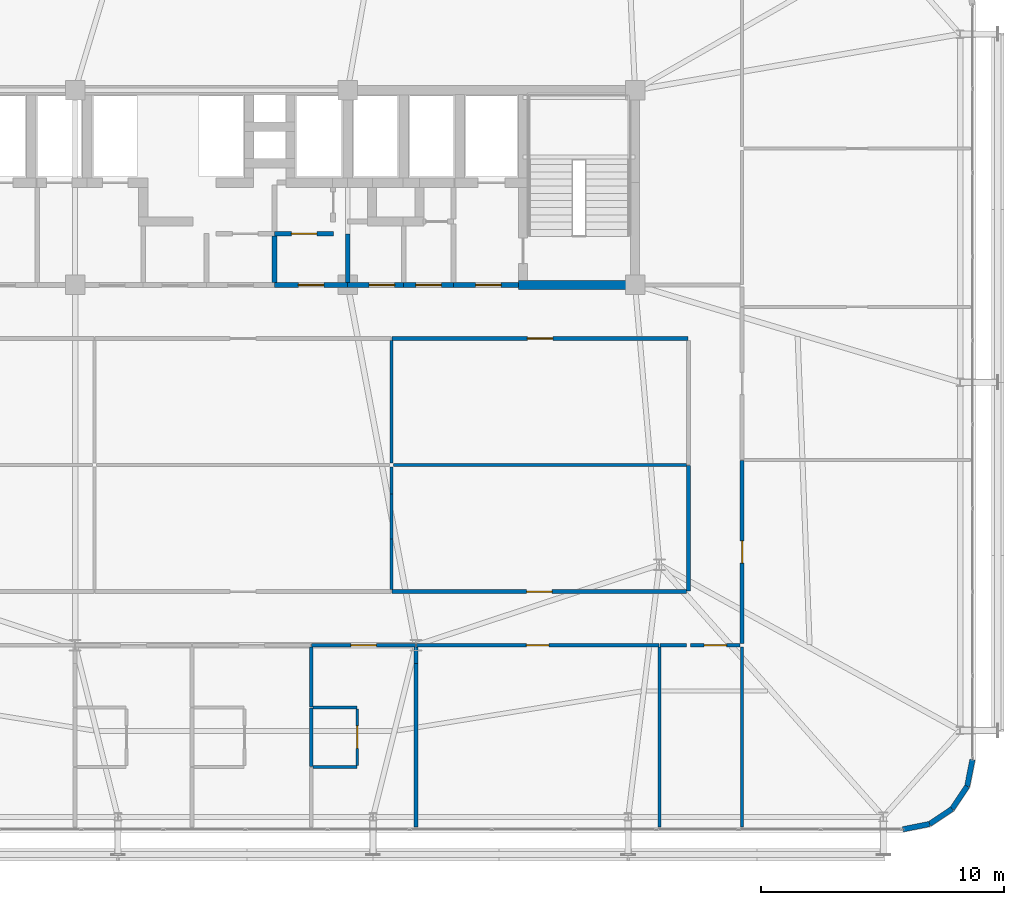
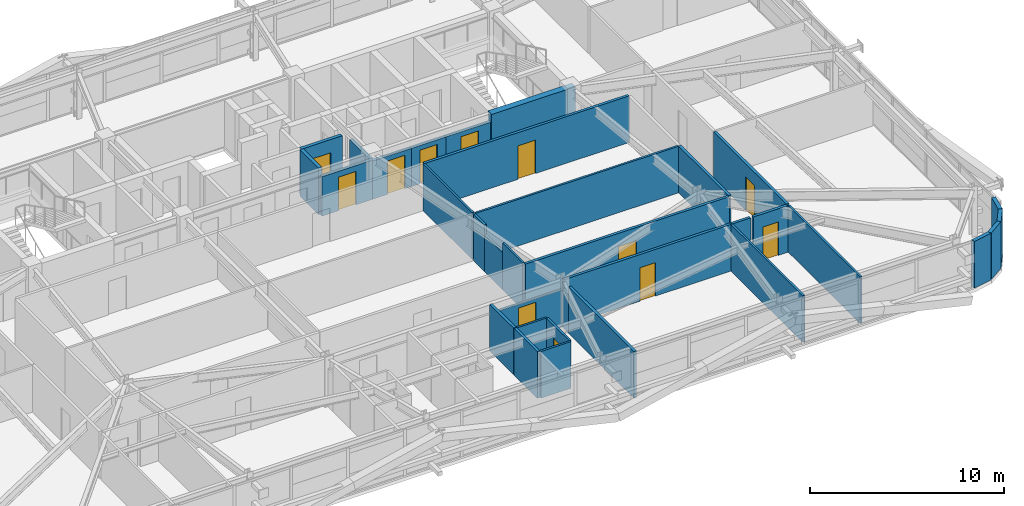
# One storey, part 54 of 59: 34 walls, 12 doors, 12 openings.
"""IFC4 building model written with IfcOpenShell, lengths in metres."""

from ifc_helpers import new_model, si_unit, direction, frame, frame_2d, origin, place, context, subcontext, project, spatial, rectangle, extrude, source, transform, mapped, material, layer, layer_set, type_object, element, fill, save


model = new_model("IFC4")

# Units and contexts
model_context = context("Model", 3, precision=1e-05, world=origin(), true_north=direction((0.0, 1.0)))
body_context = subcontext(model_context, "Body", "Model", "MODEL_VIEW")
ifc_project = project(units=[si_unit("LENGTHUNIT", "METRE"), si_unit("AREAUNIT", "SQUARE_METRE"), si_unit("VOLUMEUNIT", "CUBIC_METRE"), si_unit("PLANEANGLEUNIT", "RADIAN"), si_unit("MASSUNIT", "GRAM", prefix="KILO")], contexts=[model_context])

# Site, building, storey
site_placement = place(None, origin())
site = spatial("IfcSite", under=ifc_project, at=site_placement, CompositionType="ELEMENT")
building_placement = place(site_placement, origin())
building = spatial("IfcBuilding", under=site, at=building_placement, Name="Taldren Reach Tower", CompositionType="ELEMENT")
storey_placement = place(building_placement, frame((0.0, 0.0, 45.14990234375)))
storey = spatial("IfcBuildingStorey", under=building, at=storey_placement, Name="L13", CompositionType="ELEMENT", Elevation=45.14990234375)

# Walls
ifc_material_1 = material(Name="Pale Champagne Anodised Aluminium Cladding", Category="aluminium")
ifc_layer_1 = layer(ifc_material_1, 0.04, Name="Pale Champagne Anodised Aluminium Cladding", Category="aluminium")
ifc_material_2 = material(Name="Mineral Wool Acoustic Insulation", Category="insulation")
ifc_layer_2 = layer(ifc_material_2, 0.06, Name="Mineral Wool Acoustic Insulation", Category="insulation")
ifc_material_3 = material(Name="Steel Gr 350 (C350L0)", Category="steel")
ifc_layer_3 = layer(ifc_material_3, 0.12, Name="Steel Gr 350 (C350L0)", Category="steel")
ifc_layer_set_1 = layer_set([ifc_layer_1, ifc_layer_2, ifc_layer_3], Name="Pale Champagne Aluminium Cladding and Steel Gr 350 Stud Framing")
wall_type_1 = type_object("IfcWallType", Name="EW-CRN-220", PredefinedType="SOLIDWALL", material=ifc_layer_set_1)
shared_shape_1 = source(origin(), body_context, "Body", "SweptSolid", [
    extrude(rectangle(XDim=1.115966796875, YDim=0.219970703125, at=frame_2d((0.55810546875, 0.0))), origin(), (0.0, 0.0, 1.0), 2.93017578125),
])
for number, where, z_axis, x_axis, name in (
    (1, (62.0, 1.639892578125, 0.0), (0.0, 0.0, 1.0), (0.98077373103, 0.195148375659, 0.0), "Rounded-corner pale-metal facade wall L13-SE1"),
    (2, (63.094482421875, 1.857666015625, 0.0), (0.0, 0.0, 1.0), (0.83137650226, 0.555709556774, 0.0), "Rounded-corner pale-metal facade wall L13-SE2"),
    (3, (64.022216796875, 2.477783203125, 0.0), (0.0, 0.0, 1.0), (0.555709556774, 0.83137650226, 0.0), "Rounded-corner pale-metal facade wall L13-SE3"),
    (4, (64.642333984375, 3.405517578125, 0.0), (0.0, 0.0, 1.0), (0.195148375659, 0.98077373103, 0.0), "Rounded-corner pale-metal facade wall L13-SE4"),
):
    element("IfcWall", number, at=place(storey_placement, frame(where, z_axis=z_axis, x_axis=x_axis)), inside=storey, type_object=wall_type_1, Name=name, PredefinedType="SOLIDWALL", context=body_context, shape_type="MappedRepresentation", body=[
        mapped(shared_shape_1, transform((0.0, 0.0, 0.0), scale=1.0)),
    ])
ifc_material_4 = material(Name="Concrete S80 (80 MPa)", Category="concrete")
ifc_layer_4 = layer(ifc_material_4, 0.3798828125)
ifc_layer_set_2 = layer_set([ifc_layer_4], Name="Concrete S80 (80 MPa)")
wall_type_2 = type_object("IfcWallType", Name="IW-CORE-380", PredefinedType="SHEAR", material=ifc_layer_set_2)
shared_shape_2 = source(origin(), body_context, "Body", "SweptSolid", [
    extrude(rectangle(XDim=4.97998046875, YDim=0.3798828125, at=frame_2d((2.489990234375, 0.0))), origin(), (0.0, 0.0, 1.0), 2.93017578125),
])
wall_1_placement = place(storey_placement, frame((46.2099609375, 24.0, 0.0), z_axis=(0.0, 0.0, 1.0), x_axis=(1.0, 0.0, 0.0)))
element("IfcWall", 5, at=wall_1_placement, inside=storey, type_object=wall_type_2, Name="Rear Core Shear Wall W-INT-L13-010", PredefinedType="SHEAR", context=body_context, shape_type="MappedRepresentation", body=[
    mapped(shared_shape_2, transform((0.0, 0.0, 0.0), scale=1.0)),
])

# Wall, opening, door
ifc_material_5 = material(Name="Concrete S50 (50 MPa)", Category="concrete")
ifc_layer_5 = layer(ifc_material_5, 0.199951171875)
ifc_layer_set_3 = layer_set([ifc_layer_5], Name="Concrete S50 (50 MPa)")
wall_type_3 = type_object("IfcWallType", Name="IW-CORE-200", PredefinedType="SOLIDWALL", material=ifc_layer_set_3)
shared_shape_3 = source(origin(), body_context, "Body", "SweptSolid", [
    extrude(rectangle(XDim=2.659912109375, YDim=0.199951171875, at=frame_2d((1.330078125, 0.0))), origin(), (0.0, 0.0, 1.0), 2.397216796875),
])
wall_2_placement = place(storey_placement, frame((43.550048828125, 24.0, 0.0), z_axis=(0.0, 0.0, 1.0), x_axis=(1.0, 0.0, 0.0)))
wall_2 = element("IfcWall", 6, at=wall_2_placement, inside=storey, type_object=wall_type_3, Name="Rear Core Shear Wall W-INT-L13-015", PredefinedType="SOLIDWALL", context=body_context, shape_type="MappedRepresentation", body=[
    mapped(shared_shape_3, transform((0.0, 0.0, 0.0), scale=1.0)),
])
shared_shape_4 = source(origin(), body_context, "Body", "SweptSolid", [
    extrude(rectangle(XDim=1.050048828125, YDim=2.10009765625, at=frame_2d((0.52490234375, 1.050048828125))), frame((0.0, 0.10986328125, 0.0), z_axis=(0.0, -1.0, 0.0), x_axis=(1.0, 0.0, 0.0)), (0.0, 0.0, 1.0), 0.219970703125),
])
opening_1_placement = place(wall_2_placement, frame((0.89990234375, 0.0, 0.0)))
opening_1 = element("IfcOpeningElement", 7, at=opening_1_placement, cuts=wall_2, Name="Opening DF-105", PredefinedType="OPENING", context=body_context, shape_type="MappedRepresentation", body=[
    mapped(shared_shape_4, transform((0.0, 0.0, 0.0), scale=1.0)),
])
ifc_material_6 = material(Name="Fire-Rated Care and Stair Exit Door")
door_type_1 = type_object("IfcDoorType", Name="ID-FIRE-105", OperationType="NOTDEFINED", PredefinedType="DOOR", material=ifc_material_6)
shared_shape_5 = source(origin(), body_context, "Body", "SweptSolid", [
    extrude(rectangle(XDim=1.050048828125, YDim=2.10009765625, at=frame_2d((0.52490234375, 1.050048828125))), frame((0.0, 0.02490234375, 0.0), z_axis=(0.0, -1.0, 0.0), x_axis=(1.0, 0.0, 0.0)), (0.0, 0.0, 1.0), 0.050048828125),
])
door_1_placement = place(opening_1_placement, origin())
door_1 = element("IfcDoor", 8, at=door_1_placement, inside=storey, type_object=door_type_1, Name="Interior Door DR-L13-004", OperationType="SINGLE_SWING_LEFT", OverallHeight=2.10009765625, OverallWidth=1.050048828125, PredefinedType="DOOR", context=body_context, shape_type="MappedRepresentation", body=[
    mapped(shared_shape_5, transform((0.0, 0.0, 0.0), scale=1.0)),
])
fill(opening_1, door_1)

# Wall
shared_shape_6 = source(origin(), body_context, "Body", "SweptSolid", [
    extrude(rectangle(XDim=1.89990234375, YDim=0.199951171875, at=frame_2d((0.949951171875, 0.0))), origin(), (0.0, 0.0, 1.0), 2.93017578125),
])
wall_3_placement = place(storey_placement, frame((36.199951171875, 26.0, 0.0), z_axis=(0.0, 0.0, 1.0), x_axis=(0.0, -1.0, 0.0)))
element("IfcWall", 9, at=wall_3_placement, inside=storey, type_object=wall_type_3, Name="Rear Core Shear Wall W-INT-L13-047", PredefinedType="SOLIDWALL", context=body_context, shape_type="MappedRepresentation", body=[
    mapped(shared_shape_6, transform((0.0, 0.0, 0.0), scale=1.0)),
])

# Wall, opening, door
shared_shape_7 = source(origin(), body_context, "Body", "SweptSolid", [
    extrude(rectangle(XDim=2.420166015625, YDim=0.199951171875, at=frame_2d((1.2099609375, 0.0))), origin(), (0.0, 0.0, 1.0), 2.93017578125),
])
wall_4_placement = place(storey_placement, frame((36.199951171875, 26.10009765625, 0.0), z_axis=(0.0, 0.0, 1.0), x_axis=(1.0, 0.0, 0.0)))
wall_4 = element("IfcWall", 10, at=wall_4_placement, inside=storey, type_object=wall_type_3, Name="Rear Core Shear Wall W-INT-L13-051", PredefinedType="SOLIDWALL", context=body_context, shape_type="MappedRepresentation", body=[
    mapped(shared_shape_7, transform((0.0, 0.0, 0.0), scale=1.0)),
])
opening_2_placement = place(wall_4_placement, frame((0.68505859375, 0.0, 0.0)))
opening_2 = element("IfcOpeningElement", 11, at=opening_2_placement, cuts=wall_4, Name="Opening DF-105", PredefinedType="OPENING", context=body_context, shape_type="MappedRepresentation", body=[
    mapped(shared_shape_4, transform((0.0, 0.0, 0.0), scale=1.0)),
])
door_2_placement = place(opening_2_placement, origin())
door_2 = element("IfcDoor", 12, at=door_2_placement, inside=storey, type_object=door_type_1, Name="Interior Door DR-L13-009", OperationType="SINGLE_SWING_RIGHT", OverallHeight=2.10009765625, OverallWidth=1.050048828125, PredefinedType="DOOR", context=body_context, shape_type="MappedRepresentation", body=[
    mapped(shared_shape_5, transform((0.0, 0.0, 0.0), scale=1.0)),
])
fill(opening_2, door_2)

# Wall
shared_shape_8 = source(origin(), body_context, "Body", "SweptSolid", [
    extrude(rectangle(XDim=2.0, YDim=0.199951171875, at=frame_2d((1.0, 0.0))), origin(), (0.0, 0.0, 1.0), 2.47021484375),
])
wall_5_placement = place(storey_placement, frame((39.199951171875, 26.10009765625, 0.0), z_axis=(0.0, 0.0, 1.0), x_axis=(0.0, -1.0, 0.0)))
element("IfcWall", 13, at=wall_5_placement, inside=storey, type_object=wall_type_3, Name="Rear Core Shear Wall W-INT-L13-052", PredefinedType="SOLIDWALL", context=body_context, shape_type="MappedRepresentation", body=[
    mapped(shared_shape_8, transform((0.0, 0.0, 0.0), scale=1.0)),
])

# Wall, opening, door
shared_shape_9 = source(origin(), body_context, "Body", "SweptSolid", [
    extrude(rectangle(XDim=3.0, YDim=0.199951171875, at=frame_2d((1.5, 0.0))), origin(), (0.0, 0.0, 1.0), 2.47021484375),
])
wall_6_placement = place(storey_placement, frame((39.199951171875, 24.0, 0.0), z_axis=(0.0, 0.0, 1.0), x_axis=(-1.0, 0.0, 0.0)))
wall_6 = element("IfcWall", 14, at=wall_6_placement, inside=storey, type_object=wall_type_3, Name="Rear Core Shear Wall W-INT-L13-053", PredefinedType="SOLIDWALL", context=body_context, shape_type="MappedRepresentation", body=[
    mapped(shared_shape_9, transform((0.0, 0.0, 0.0), scale=1.0)),
])
opening_3_placement = place(wall_6_placement, frame((0.97509765625, 0.0, 0.0)))
opening_3 = element("IfcOpeningElement", 15, at=opening_3_placement, cuts=wall_6, Name="Opening DF-105", PredefinedType="OPENING", context=body_context, shape_type="MappedRepresentation", body=[
    mapped(shared_shape_4, transform((0.0, 0.0, 0.0), scale=1.0)),
])
door_3_placement = place(opening_3_placement, frame((1.050048828125, 0.0, 0.0), z_axis=(0.0, 0.0, 1.0), x_axis=(-1.0, 0.0, 0.0)))
door_3 = element("IfcDoor", 16, at=door_3_placement, inside=storey, type_object=door_type_1, Name="Interior Door DR-L13-010", OperationType="SINGLE_SWING_RIGHT", OverallHeight=2.10009765625, OverallWidth=1.050048828125, PredefinedType="DOOR", context=body_context, shape_type="MappedRepresentation", body=[
    mapped(shared_shape_5, transform((0.0, 0.0, 0.0), scale=1.0)),
])
fill(opening_3, door_3)

shared_shape_10 = source(origin(), body_context, "Body", "SweptSolid", [
    extrude(rectangle(XDim=2.300048828125, YDim=0.199951171875, at=frame_2d((1.14990234375, 0.0))), origin(), (0.0, 0.0, 1.0), 2.397216796875),
])
wall_7_placement = place(storey_placement, frame((41.5, 24.0, 0.0), z_axis=(0.0, 0.0, 1.0), x_axis=(-1.0, 0.0, 0.0)))
wall_7 = element("IfcWall", 17, at=wall_7_placement, inside=storey, type_object=wall_type_3, Name="Rear Core Shear Wall W-INT-L13-057", PredefinedType="SOLIDWALL", context=body_context, shape_type="MappedRepresentation", body=[
    mapped(shared_shape_10, transform((0.0, 0.0, 0.0), scale=1.0)),
])
opening_4_placement = place(wall_7_placement, frame((0.375, 0.0, 0.0)))
opening_4 = element("IfcOpeningElement", 18, at=opening_4_placement, cuts=wall_7, Name="Opening DF-105", PredefinedType="OPENING", context=body_context, shape_type="MappedRepresentation", body=[
    mapped(shared_shape_4, transform((0.0, 0.0, 0.0), scale=1.0)),
])
door_4_placement = place(opening_4_placement, frame((1.050048828125, 0.0, 0.0), z_axis=(0.0, 0.0, 1.0), x_axis=(-1.0, 0.0, 0.0)))
door_4 = element("IfcDoor", 19, at=door_4_placement, inside=storey, type_object=door_type_1, Name="Interior Door DR-L13-011", OperationType="SINGLE_SWING_RIGHT", OverallHeight=2.10009765625, OverallWidth=1.050048828125, PredefinedType="DOOR", context=body_context, shape_type="MappedRepresentation", body=[
    mapped(shared_shape_5, transform((0.0, 0.0, 0.0), scale=1.0)),
])
fill(opening_4, door_4)

shared_shape_11 = source(origin(), body_context, "Body", "SweptSolid", [
    extrude(rectangle(XDim=2.050048828125, YDim=0.199951171875, at=frame_2d((1.02490234375, 0.0))), origin(), (0.0, 0.0, 1.0), 2.397216796875),
])
wall_8_placement = place(storey_placement, frame((43.550048828125, 24.0, 0.0), z_axis=(0.0, 0.0, 1.0), x_axis=(-1.0, 0.0, 0.0)))
wall_8 = element("IfcWall", 20, at=wall_8_placement, inside=storey, type_object=wall_type_3, Name="Rear Core Shear Wall W-INT-L13-059", PredefinedType="SOLIDWALL", context=body_context, shape_type="MappedRepresentation", body=[
    mapped(shared_shape_11, transform((0.0, 0.0, 0.0), scale=1.0)),
])
opening_5_placement = place(wall_8_placement, frame((0.5, 0.0, 0.0)))
opening_5 = element("IfcOpeningElement", 21, at=opening_5_placement, cuts=wall_8, Name="Opening DF-105", PredefinedType="OPENING", context=body_context, shape_type="MappedRepresentation", body=[
    mapped(shared_shape_4, transform((0.0, 0.0, 0.0), scale=1.0)),
])
door_5_placement = place(opening_5_placement, frame((1.050048828125, 0.0, 0.0), z_axis=(0.0, 0.0, 1.0), x_axis=(-1.0, 0.0, 0.0)))
door_5 = element("IfcDoor", 22, at=door_5_placement, inside=storey, type_object=door_type_1, Name="Interior Door DR-L13-013", OperationType="SINGLE_SWING_LEFT", OverallHeight=2.10009765625, OverallWidth=1.050048828125, PredefinedType="DOOR", context=body_context, shape_type="MappedRepresentation", body=[
    mapped(shared_shape_5, transform((0.0, 0.0, 0.0), scale=1.0)),
])
fill(opening_5, door_5)

# Wall
ifc_material_7 = material(Name="Fire-Rated Acoustic Plasterboard Stud Wall", Category="gypsum")
ifc_layer_6 = layer(ifc_material_7, 0.159912109375)
ifc_layer_set_4 = layer_set([ifc_layer_6], Name="Fire-Rated Acoustic Plasterboard Stud Wall")
wall_type_4 = type_object("IfcWallType", Name="IW-FIRE-160", PredefinedType="PARTITIONING", material=ifc_layer_set_4)
shared_shape_12 = source(origin(), body_context, "Body", "SweptSolid", [
    extrude(rectangle(XDim=5.15966796875, YDim=0.159912109375, at=frame_2d((2.579833984375, 0.0))), origin(), (0.0, 0.0, 1.0), 2.93017578125),
])
wall_9_placement = place(storey_placement, frame((53.199951171875, 11.420166015625, 0.0), z_axis=(0.0, 0.0, 1.0), x_axis=(0.0, 1.0, 0.0)))
element("IfcWall", 23, at=wall_9_placement, inside=storey, type_object=wall_type_4, Name="Interior Partition Wall W-INT-L13-064", PredefinedType="PARTITIONING", context=body_context, shape_type="MappedRepresentation", body=[
    mapped(shared_shape_12, transform((0.0, 0.0, 0.0), scale=1.0)),
])

# Wall, opening, door
shared_shape_13 = source(origin(), body_context, "Body", "SweptSolid", [
    extrude(rectangle(XDim=12.159423828125, YDim=0.159912109375, at=frame_2d((6.07958984375, 0.0))), origin(), (0.0, 0.0, 1.0), 2.93017578125),
])
wall_10_placement = place(storey_placement, frame((53.1796875, 21.800048828125, 0.0), z_axis=(0.0, 0.0, 1.0), x_axis=(-1.0, 0.0, 0.0)))
wall_10 = element("IfcWall", 24, at=wall_10_placement, inside=storey, type_object=wall_type_4, Name="Interior Partition Wall W-INT-L13-065", PredefinedType="PARTITIONING", context=body_context, shape_type="MappedRepresentation", body=[
    mapped(shared_shape_13, transform((0.0, 0.0, 0.0), scale=1.0)),
])
shared_shape_14 = source(origin(), body_context, "Body", "SweptSolid", [
    extrude(rectangle(XDim=1.050048828125, YDim=2.10009765625, at=frame_2d((0.52490234375, 1.050048828125))), frame((0.0, 0.08984375, 0.0), z_axis=(0.0, -1.0, 0.0), x_axis=(1.0, 0.0, 0.0)), (0.0, 0.0, 1.0), 0.179931640625),
])
opening_6_placement = place(wall_10_placement, frame((5.5546875, 0.0, 0.0)))
opening_6 = element("IfcOpeningElement", 25, at=opening_6_placement, cuts=wall_10, Name="Opening DF-105", PredefinedType="OPENING", context=body_context, shape_type="MappedRepresentation", body=[
    mapped(shared_shape_14, transform((0.0, 0.0, 0.0), scale=1.0)),
])
door_6_placement = place(opening_6_placement, origin())
door_6 = element("IfcDoor", 26, at=door_6_placement, inside=storey, type_object=door_type_1, Name="Interior Door DR-L13-016", OperationType="SINGLE_SWING_LEFT", OverallHeight=2.10009765625, OverallWidth=1.050048828125, PredefinedType="DOOR", context=body_context, shape_type="MappedRepresentation", body=[
    mapped(shared_shape_5, transform((0.0, 0.0, 0.0), scale=1.0)),
])
fill(opening_6, door_6)

shared_shape_15 = source(origin(), body_context, "Body", "SweptSolid", [
    extrude(rectangle(XDim=2.0400390625, YDim=0.159912109375, at=frame_2d((1.02001953125, 0.0))), origin(), (0.0, 0.0, 1.0), 2.93017578125),
])
wall_11_placement = place(storey_placement, frame((55.320068359375, 9.199951171875, 0.0), z_axis=(0.0, 0.0, 1.0), x_axis=(-1.0, 0.0, 0.0)))
wall_11 = element("IfcWall", 27, at=wall_11_placement, inside=storey, type_object=wall_type_4, Name="Interior Partition Wall W-INT-L13-068", PredefinedType="PARTITIONING", context=body_context, shape_type="MappedRepresentation", body=[
    mapped(shared_shape_15, transform((0.0, 0.0, 0.0), scale=1.0)),
])
shared_shape_16 = source(origin(), body_context, "Body", "SweptSolid", [
    extrude(rectangle(XDim=0.919921875, YDim=2.10009765625, at=frame_2d((0.4599609375, 1.050048828125))), frame((0.0, 0.08984375, 0.0), z_axis=(0.0, -1.0, 0.0), x_axis=(1.0, 0.0, 0.0)), (0.0, 0.0, 1.0), 0.179931640625),
])
opening_7_placement = place(wall_11_placement, frame((0.56005859375, 0.0, 0.0)))
opening_7 = element("IfcOpeningElement", 28, at=opening_7_placement, cuts=wall_11, Name="Opening DI-092", PredefinedType="OPENING", context=body_context, shape_type="MappedRepresentation", body=[
    mapped(shared_shape_16, transform((0.0, 0.0, 0.0), scale=1.0)),
])
ifc_material_8 = material(Name="Solid-Core Timber Suite Door", Category="wood")
door_type_2 = type_object("IfcDoorType", Name="ID-INT-092", OperationType="NOTDEFINED", PredefinedType="DOOR", material=ifc_material_8)
shared_shape_17 = source(origin(), body_context, "Body", "SweptSolid", [
    extrude(rectangle(XDim=0.919921875, YDim=2.10009765625, at=frame_2d((0.4599609375, 1.050048828125))), frame((0.0, 0.02490234375, 0.0), z_axis=(0.0, -1.0, 0.0), x_axis=(1.0, 0.0, 0.0)), (0.0, 0.0, 1.0), 0.050048828125),
])
door_7_placement = place(opening_7_placement, origin())
door_7 = element("IfcDoor", 29, at=door_7_placement, inside=storey, type_object=door_type_2, Name="Interior Door DR-L13-018", OperationType="SINGLE_SWING_LEFT", OverallHeight=2.10009765625, OverallWidth=0.919921875, PredefinedType="DOOR", context=body_context, shape_type="MappedRepresentation", body=[
    mapped(shared_shape_17, transform((0.0, 0.0, 0.0), scale=1.0)),
])
fill(opening_7, door_7)

shared_shape_18 = source(origin(), body_context, "Body", "SweptSolid", [
    extrude(rectangle(XDim=12.099853515625, YDim=0.159912109375, at=frame_2d((6.0498046875, 0.0))), origin(), (0.0, 0.0, 1.0), 2.93017578125),
])
wall_12_placement = place(storey_placement, frame((41.020263671875, 11.39990234375, 0.0), z_axis=(0.0, 0.0, 1.0), x_axis=(1.0, 0.0, 0.0)))
wall_12 = element("IfcWall", 30, at=wall_12_placement, inside=storey, type_object=wall_type_4, Name="Interior Partition Wall W-INT-L13-079", PredefinedType="PARTITIONING", context=body_context, shape_type="MappedRepresentation", body=[
    mapped(shared_shape_18, transform((0.0, 0.0, 0.0), scale=1.0)),
])
opening_8_placement = place(wall_12_placement, frame((5.52490234375, 0.0, 0.0)))
opening_8 = element("IfcOpeningElement", 31, at=opening_8_placement, cuts=wall_12, Name="Opening DF-105", PredefinedType="OPENING", context=body_context, shape_type="MappedRepresentation", body=[
    mapped(shared_shape_14, transform((0.0, 0.0, 0.0), scale=1.0)),
])
door_8_placement = place(opening_8_placement, origin())
door_8 = element("IfcDoor", 32, at=door_8_placement, inside=storey, type_object=door_type_1, Name="Interior Door DR-L13-026", OperationType="SINGLE_SWING_LEFT", OverallHeight=2.10009765625, OverallWidth=1.050048828125, PredefinedType="DOOR", context=body_context, shape_type="MappedRepresentation", body=[
    mapped(shared_shape_5, transform((0.0, 0.0, 0.0), scale=1.0)),
])
fill(opening_8, door_8)

# Wall
shared_shape_19 = source(origin(), body_context, "Body", "SweptSolid", [
    extrude(rectangle(XDim=1.099853515625, YDim=0.159912109375, at=frame_2d((0.5498046875, 0.0))), origin(), (0.0, 0.0, 1.0), 2.93017578125),
])
wall_13_placement = place(storey_placement, frame((53.1201171875, 9.199951171875, 0.0), z_axis=(0.0, 0.0, 1.0), x_axis=(-1.0, 0.0, 0.0)))
element("IfcWall", 33, at=wall_13_placement, inside=storey, type_object=wall_type_4, Name="Interior Partition Wall W-INT-L13-086", PredefinedType="PARTITIONING", context=body_context, shape_type="MappedRepresentation", body=[
    mapped(shared_shape_19, transform((0.0, 0.0, 0.0), scale=1.0)),
])

# Wall, opening, door
shared_shape_20 = source(origin(), body_context, "Body", "SweptSolid", [
    extrude(rectangle(XDim=9.95947265625, YDim=0.159912109375, at=frame_2d((4.979736328125, 0.0))), origin(), (0.0, 0.0, 1.0), 2.93017578125),
])
wall_14_placement = place(storey_placement, frame((51.979736328125, 9.199951171875, 0.0), z_axis=(0.0, 0.0, 1.0), x_axis=(-1.0, 0.0, 0.0)))
wall_14 = element("IfcWall", 34, at=wall_14_placement, inside=storey, type_object=wall_type_4, Name="Interior Partition Wall W-INT-L13-085", PredefinedType="PARTITIONING", context=body_context, shape_type="MappedRepresentation", body=[
    mapped(shared_shape_20, transform((0.0, 0.0, 0.0), scale=1.0)),
])
opening_9_placement = place(wall_14_placement, frame((4.519775390625, 0.0, 0.0)))
opening_9 = element("IfcOpeningElement", 35, at=opening_9_placement, cuts=wall_14, Name="Opening DI-092", PredefinedType="OPENING", context=body_context, shape_type="MappedRepresentation", body=[
    mapped(shared_shape_16, transform((0.0, 0.0, 0.0), scale=1.0)),
])
door_9_placement = place(opening_9_placement, origin())
door_9 = element("IfcDoor", 36, at=door_9_placement, inside=storey, type_object=door_type_2, Name="Interior Door DR-L13-031", OperationType="SINGLE_SWING_RIGHT", OverallHeight=2.10009765625, OverallWidth=0.919921875, PredefinedType="DOOR", context=body_context, shape_type="MappedRepresentation", body=[
    mapped(shared_shape_17, transform((0.0, 0.0, 0.0), scale=1.0)),
])
fill(opening_9, door_9)

# Walls
ifc_material_9 = material(Name="Insulated Residential Stud Partition", Category="gypsum")
ifc_layer_7 = layer(ifc_material_9, 0.1201171875)
ifc_layer_set_5 = layer_set([ifc_layer_7], Name="Insulated Residential Stud Partition")
wall_type_5 = type_object("IfcWallType", Name="IW-PART-120", PredefinedType="PARTITIONING", material=ifc_layer_set_5)
shared_shape_21 = source(origin(), body_context, "Body", "SweptSolid", [
    extrude(rectangle(XDim=1.10400390625, YDim=0.1201171875, at=frame_2d((0.552001953125, 0.0))), origin(), (0.0, 0.0, 1.0), 2.93017578125),
])
wall_15_placement = place(storey_placement, frame((41.0, 16.52001953125, 0.0), z_axis=(0.0, 0.0, 1.0), x_axis=(0.0, -1.0, 0.0)))
element("IfcWall", 37, at=wall_15_placement, inside=storey, type_object=wall_type_5, Name="Interior Partition Wall W-INT-L13-091", PredefinedType="PARTITIONING", context=body_context, shape_type="MappedRepresentation", body=[
    mapped(shared_shape_21, transform((0.0, 0.0, 0.0), scale=1.0)),
])
shared_shape_22 = source(origin(), body_context, "Body", "SweptSolid", [
    extrude(rectangle(XDim=1.860595703125, YDim=0.1201171875, at=frame_2d((0.93017578125, 0.0))), origin(), (0.0, 0.0, 1.0), 2.328125),
])
wall_16_placement = place(storey_placement, frame((41.0, 15.416015625, 0.0), z_axis=(0.0, 0.0, 1.0), x_axis=(0.0, -1.0, 0.0)))
element("IfcWall", 38, at=wall_16_placement, inside=storey, type_object=wall_type_5, Name="Interior Partition Wall W-INT-L13-091 part 2", PredefinedType="PARTITIONING", context=body_context, shape_type="MappedRepresentation", body=[
    mapped(shared_shape_22, transform((0.0, 0.0, 0.0), scale=1.0)),
])
shared_shape_23 = source(origin(), body_context, "Body", "SweptSolid", [
    extrude(rectangle(XDim=2.075439453125, YDim=0.1201171875, at=frame_2d((1.03759765625, 0.0))), origin(), (0.0, 0.0, 1.0), 2.93017578125),
])
wall_17_placement = place(storey_placement, frame((41.0, 13.555419921875, 0.0), z_axis=(0.0, 0.0, 1.0), x_axis=(0.0, -1.0, 0.0)))
element("IfcWall", 39, at=wall_17_placement, inside=storey, type_object=wall_type_5, Name="Interior Partition Wall W-INT-L13-091 part 3", PredefinedType="PARTITIONING", context=body_context, shape_type="MappedRepresentation", body=[
    mapped(shared_shape_23, transform((0.0, 0.0, 0.0), scale=1.0)),
])
shared_shape_24 = source(origin(), body_context, "Body", "SweptSolid", [
    extrude(rectangle(XDim=12.0400390625, YDim=0.1201171875, at=frame_2d((6.02001953125, 0.0))), origin(), (0.0, 0.0, 1.0), 2.93017578125),
])
wall_18_placement = place(storey_placement, frame((41.080078125, 16.60009765625, 0.0), z_axis=(0.0, 0.0, 1.0), x_axis=(1.0, 0.0, 0.0)))
element("IfcWall", 40, at=wall_18_placement, inside=storey, type_object=wall_type_5, Name="Interior Partition Wall W-INT-L13-093", PredefinedType="PARTITIONING", context=body_context, shape_type="MappedRepresentation", body=[
    mapped(shared_shape_24, transform((0.0, 0.0, 0.0), scale=1.0)),
])
shared_shape_25 = source(origin(), body_context, "Body", "SweptSolid", [
    extrude(rectangle(XDim=5.0400390625, YDim=0.1201171875, at=frame_2d((2.52001953125, 0.0))), origin(), (0.0, 0.0, 1.0), 2.93017578125),
])
wall_19_placement = place(storey_placement, frame((41.0, 21.719970703125, 0.0), z_axis=(0.0, 0.0, 1.0), x_axis=(0.0, -1.0, 0.0)))
element("IfcWall", 41, at=wall_19_placement, inside=storey, type_object=wall_type_5, Name="Interior Partition Wall W-INT-L13-092", PredefinedType="PARTITIONING", context=body_context, shape_type="MappedRepresentation", body=[
    mapped(shared_shape_25, transform((0.0, 0.0, 0.0), scale=1.0)),
])

# Wall, opening, door
shared_shape_26 = source(origin(), body_context, "Body", "SweptSolid", [
    extrude(rectangle(XDim=2.330078125, YDim=0.1201171875, at=frame_2d((1.1650390625, 0.0))), origin(), (0.0, 0.0, 1.0), 2.93017578125),
])
wall_20_placement = place(storey_placement, frame((39.592041015625, 4.260009765625, 0.0), z_axis=(0.0, 0.0, 1.0), x_axis=(0.0, 1.0, 0.0)))
wall_20 = element("IfcWall", 42, at=wall_20_placement, inside=storey, type_object=wall_type_5, Name="Interior Partition Wall W-INT-L13-111", PredefinedType="PARTITIONING", context=body_context, shape_type="MappedRepresentation", body=[
    mapped(shared_shape_26, transform((0.0, 0.0, 0.0), scale=1.0)),
])
shared_shape_27 = source(origin(), body_context, "Body", "SweptSolid", [
    extrude(rectangle(XDim=0.919921875, YDim=2.10009765625, at=frame_2d((0.4599609375, 1.050048828125))), frame((0.0, 0.070068359375, 0.0), z_axis=(0.0, -1.0, 0.0), x_axis=(1.0, 0.0, 0.0)), (0.0, 0.0, 1.0), 0.14013671875),
])
opening_10_placement = place(wall_20_placement, frame((0.705078125, 0.0, 0.0)))
opening_10 = element("IfcOpeningElement", 43, at=opening_10_placement, cuts=wall_20, Name="Opening DI-092", PredefinedType="OPENING", context=body_context, shape_type="MappedRepresentation", body=[
    mapped(shared_shape_27, transform((0.0, 0.0, 0.0), scale=1.0)),
])
door_10_placement = place(opening_10_placement, origin())
door_10 = element("IfcDoor", 44, at=door_10_placement, inside=storey, type_object=door_type_2, Name="Interior Door DR-L13-034", OperationType="SINGLE_SWING_LEFT", OverallHeight=2.10009765625, OverallWidth=0.919921875, PredefinedType="DOOR", context=body_context, shape_type="MappedRepresentation", body=[
    mapped(shared_shape_17, transform((0.0, 0.0, 0.0), scale=1.0)),
])
fill(opening_10, door_10)

# Walls
shared_shape_28 = source(origin(), body_context, "Body", "SweptSolid", [
    extrude(rectangle(XDim=2.40966796875, YDim=0.159912109375, at=frame_2d((1.204833984375, 0.0))), origin(), (0.0, 0.0, 1.0), 2.93017578125),
])
wall_21_placement = place(storey_placement, frame((37.699951171875, 6.6298828125, 0.0), z_axis=(0.0, 0.0, 1.0), x_axis=(0.0, -1.0, 0.0)))
element("IfcWall", 45, at=wall_21_placement, inside=storey, type_object=wall_type_4, Name="Interior Partition Wall W-INT-L13-110", PredefinedType="PARTITIONING", context=body_context, shape_type="MappedRepresentation", body=[
    mapped(shared_shape_28, transform((0.0, 0.0, 0.0), scale=1.0)),
])
shared_shape_29 = source(origin(), body_context, "Body", "SweptSolid", [
    extrude(rectangle(XDim=2.44775390625, YDim=0.159912109375, at=frame_2d((1.223876953125, 0.0))), origin(), (0.0, 0.0, 1.0), 2.93017578125),
])
wall_22_placement = place(storey_placement, frame((37.699951171875, 9.117919921875, 0.0), z_axis=(0.0, 0.0, 1.0), x_axis=(0.0, -1.0, 0.0)))
element("IfcWall", 46, at=wall_22_placement, inside=storey, type_object=wall_type_4, Name="Interior Partition Wall W-INT-L13-109", PredefinedType="PARTITIONING", context=body_context, shape_type="MappedRepresentation", body=[
    mapped(shared_shape_29, transform((0.0, 0.0, 0.0), scale=1.0)),
])

# Wall, opening, door
shared_shape_30 = source(origin(), body_context, "Body", "SweptSolid", [
    extrude(rectangle(XDim=7.499755859375, YDim=0.159912109375, at=frame_2d((3.75, 0.0))), origin(), (0.0, 0.0, 1.0), 2.93017578125),
])
wall_23_placement = place(storey_placement, frame((55.39990234375, 16.77978515625, 0.0), z_axis=(0.0, 0.0, 1.0), x_axis=(0.0, -1.0, 0.0)))
wall_23 = element("IfcWall", 47, at=wall_23_placement, inside=storey, type_object=wall_type_4, Name="Interior Partition Wall W-INT-L13-072", PredefinedType="PARTITIONING", context=body_context, shape_type="MappedRepresentation", body=[
    mapped(shared_shape_30, transform((0.0, 0.0, 0.0), scale=1.0)),
])
opening_11_placement = place(wall_23_placement, frame((3.289794921875, 0.0, 0.0)))
opening_11 = element("IfcOpeningElement", 48, at=opening_11_placement, cuts=wall_23, Name="Opening DI-092", PredefinedType="OPENING", context=body_context, shape_type="MappedRepresentation", body=[
    mapped(shared_shape_16, transform((0.0, 0.0, 0.0), scale=1.0)),
])
door_11_placement = place(opening_11_placement, origin())
door_11 = element("IfcDoor", 49, at=door_11_placement, inside=storey, type_object=door_type_2, Name="Interior Door DR-L13-021", OperationType="SINGLE_SWING_RIGHT", OverallHeight=2.10009765625, OverallWidth=0.919921875, PredefinedType="DOOR", context=body_context, shape_type="MappedRepresentation", body=[
    mapped(shared_shape_17, transform((0.0, 0.0, 0.0), scale=1.0)),
])
fill(opening_11, door_11)

shared_shape_31 = source(origin(), body_context, "Body", "SweptSolid", [
    extrude(rectangle(XDim=4.259521484375, YDim=0.159912109375, at=frame_2d((2.1298828125, 0.0))), origin(), (0.0, 0.0, 1.0), 2.328125),
])
wall_24_placement = place(storey_placement, frame((41.979736328125, 9.199951171875, 0.0), z_axis=(0.0, 0.0, 1.0), x_axis=(-1.0, 0.0, 0.0)))
wall_24 = element("IfcWall", 50, at=wall_24_placement, inside=storey, type_object=wall_type_4, Name="Interior Partition Wall W-INT-L13-084", PredefinedType="PARTITIONING", context=body_context, shape_type="MappedRepresentation", body=[
    mapped(shared_shape_31, transform((0.0, 0.0, 0.0), scale=1.0)),
])
opening_12_placement = place(wall_24_placement, frame((1.604736328125, 0.0, 0.0)))
opening_12 = element("IfcOpeningElement", 51, at=opening_12_placement, cuts=wall_24, Name="Opening DF-105", PredefinedType="OPENING", context=body_context, shape_type="MappedRepresentation", body=[
    mapped(shared_shape_14, transform((0.0, 0.0, 0.0), scale=1.0)),
])
door_12_placement = place(opening_12_placement, origin())
door_12 = element("IfcDoor", 52, at=door_12_placement, inside=storey, type_object=door_type_1, Name="Interior Door DR-L13-030", OperationType="SINGLE_SWING_LEFT", OverallHeight=2.10009765625, OverallWidth=1.050048828125, PredefinedType="DOOR", context=body_context, shape_type="MappedRepresentation", body=[
    mapped(shared_shape_5, transform((0.0, 0.0, 0.0), scale=1.0)),
])
fill(opening_12, door_12)

# Walls
shared_shape_32 = source(origin(), body_context, "Body", "SweptSolid", [
    extrude(rectangle(XDim=7.385986328125, YDim=0.1201171875, at=frame_2d((3.69287109375, 0.0))), origin(), (0.0, 0.0, 1.0), 2.93017578125),
])
wall_25_placement = place(storey_placement, frame((55.39990234375, 9.117919921875, 0.0), z_axis=(0.0, 0.0, 1.0), x_axis=(0.0, -1.0, 0.0)))
element("IfcWall", 53, at=wall_25_placement, inside=storey, type_object=wall_type_5, Name="Interior Partition Wall W-INT-L13-116", PredefinedType="PARTITIONING", context=body_context, shape_type="MappedRepresentation", body=[
    mapped(shared_shape_32, transform((0.0, 0.0, 0.0), scale=1.0)),
])
shared_shape_33 = source(origin(), body_context, "Body", "SweptSolid", [
    extrude(rectangle(XDim=1.791748046875, YDim=0.1201171875, at=frame_2d((0.89599609375, 0.0))), origin(), (0.0, 0.0, 1.0), 2.93017578125),
])
for number, where, z_axis, x_axis, name in (
    (54, (37.780029296875, 4.199951171875, 0.0), (0.0, 0.0, 1.0), (1.0, 0.0, 0.0), "Interior Partition Wall W-INT-L13-112"),
    (55, (39.57177734375, 6.64990234375, 0.0), (0.0, 0.0, 1.0), (-1.0, 0.0, 0.0), "Interior Partition Wall W-INT-L13-113"),
):
    element("IfcWall", number, at=place(storey_placement, frame(where, z_axis=z_axis, x_axis=x_axis)), inside=storey, type_object=wall_type_5, Name=name, PredefinedType="PARTITIONING", context=body_context, shape_type="MappedRepresentation", body=[
        mapped(shared_shape_33, transform((0.0, 0.0, 0.0), scale=1.0)),
    ])
shared_shape_34 = source(origin(), body_context, "Body", "SweptSolid", [
    extrude(rectangle(XDim=0.669921875, YDim=0.159912109375, at=frame_2d((0.3349609375, 0.0))), origin(), (0.0, 0.0, 1.0), 2.397216796875),
])
wall_26_placement = place(storey_placement, frame((42.0, 9.117919921875, 0.0), z_axis=(0.0, 0.0, 1.0), x_axis=(0.0, -1.0, 0.0)))
element("IfcWall", 56, at=wall_26_placement, inside=storey, type_object=wall_type_4, Name="Interior Partition Wall W-INT-L13-114", PredefinedType="PARTITIONING", context=body_context, shape_type="MappedRepresentation", body=[
    mapped(shared_shape_34, transform((0.0, 0.0, 0.0), scale=1.0)),
])
shared_shape_35 = source(origin(), body_context, "Body", "SweptSolid", [
    extrude(rectangle(XDim=6.716064453125, YDim=0.159912109375, at=frame_2d((3.35791015625, 0.0))), origin(), (0.0, 0.0, 1.0), 2.93017578125),
])
wall_27_placement = place(storey_placement, frame((42.0, 8.447998046875, 0.0), z_axis=(0.0, 0.0, 1.0), x_axis=(0.0, -1.0, 0.0)))
element("IfcWall", 57, at=wall_27_placement, inside=storey, type_object=wall_type_4, Name="Interior Partition Wall W-INT-L13-114 part 2", PredefinedType="PARTITIONING", context=body_context, shape_type="MappedRepresentation", body=[
    mapped(shared_shape_35, transform((0.0, 0.0, 0.0), scale=1.0)),
])
shared_shape_36 = source(origin(), body_context, "Body", "SweptSolid", [
    extrude(rectangle(XDim=7.39013671875, YDim=0.1201171875, at=frame_2d((3.695068359375, 0.0))), origin(), (0.0, 0.0, 1.0), 2.93017578125),
])
wall_28_placement = place(storey_placement, frame((52.0, 9.1201171875, 0.0), z_axis=(0.0, 0.0, 1.0), x_axis=(0.0, -1.0, 0.0)))
element("IfcWall", 58, at=wall_28_placement, inside=storey, type_object=wall_type_5, Name="Interior Partition Wall W-INT-L13-115", PredefinedType="PARTITIONING", context=body_context, shape_type="MappedRepresentation", body=[
    mapped(shared_shape_36, transform((0.0, 0.0, 0.0), scale=1.0)),
])

save(model, "model.ifc")
